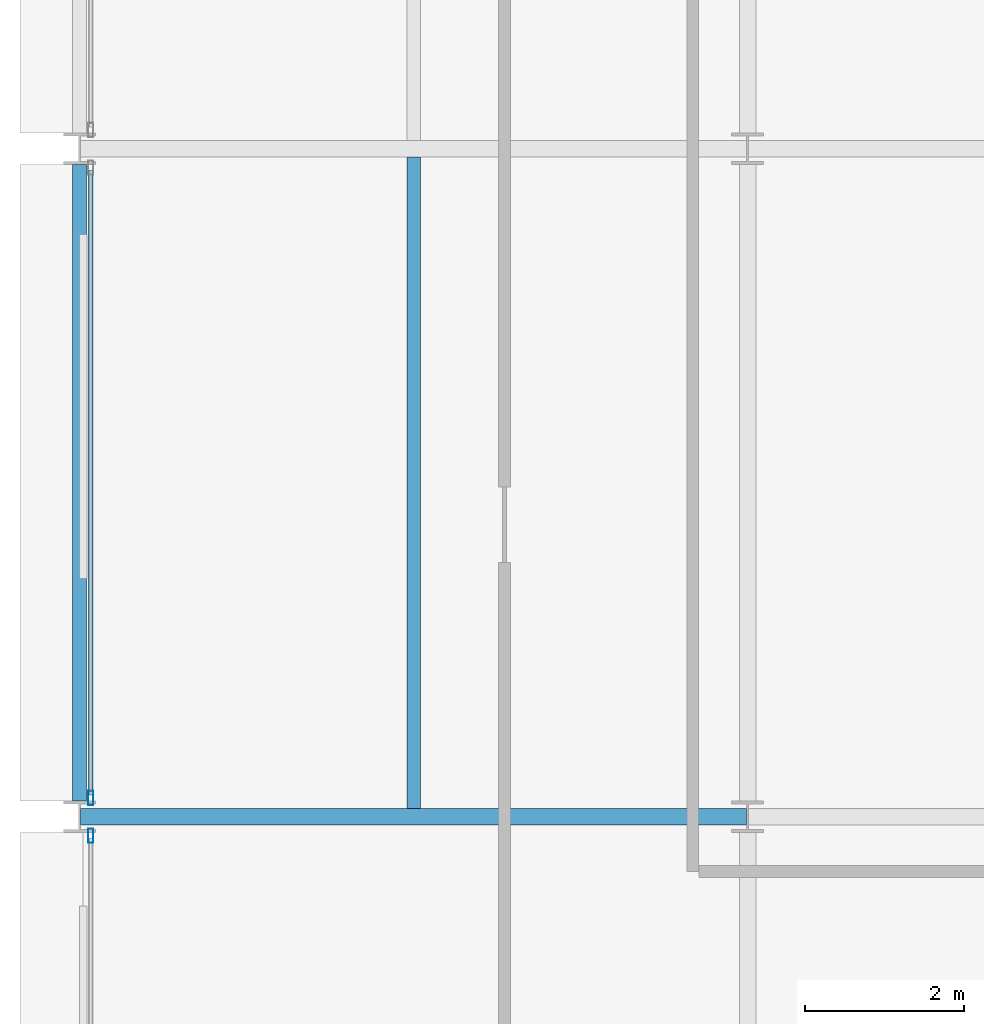
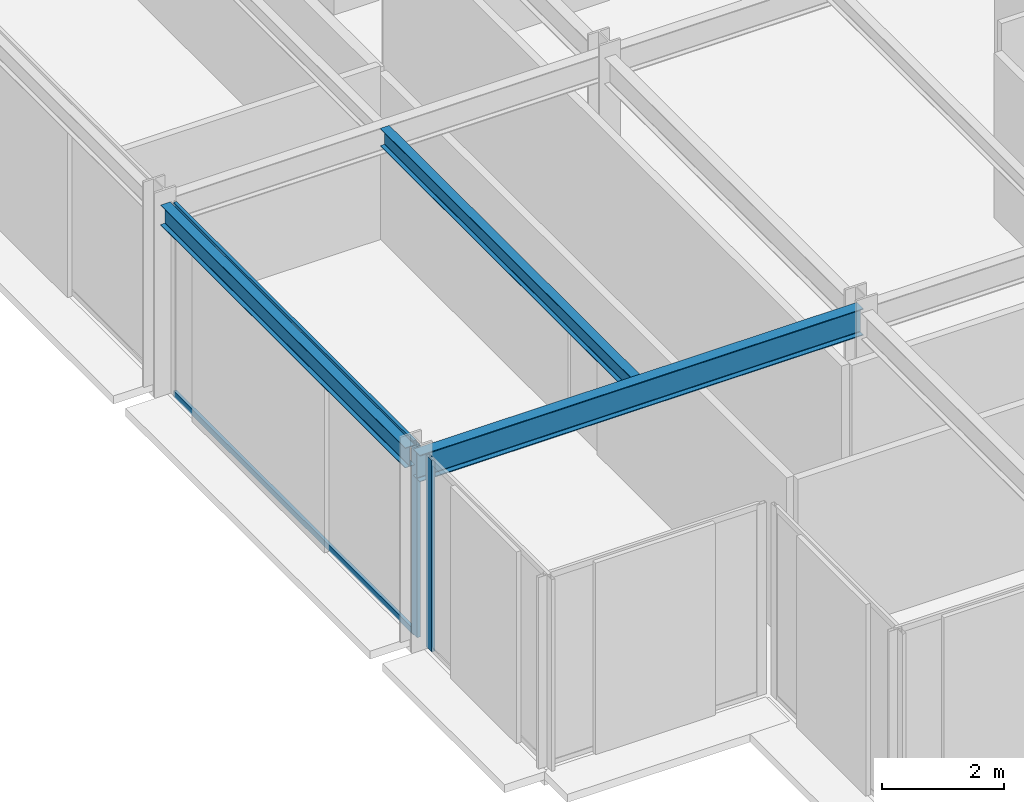
# One storey, part 4 of 30: 4 members, 3 beams, 2 elements without a shape of their own.
"""IFC4 building model written with IfcOpenShell, lengths in metres."""

from ifc_helpers import new_model, si_unit, direction, frame, origin, origin_2d, place, context, subcontext, project, spatial, hollow_rectangle, i_section, extrude, material, layer, layer_set, material_profile, profile_set, type_object, element, aggregate, save


model = new_model("IFC4")

# Units and contexts
model_context = context("Model", 3, precision=1e-05, world=origin(), true_north=direction((0.0, 1.0)))
body_context = subcontext(model_context, "Body", "Model", "MODEL_VIEW")
ifc_project = project(units=[si_unit("LENGTHUNIT", "METRE"), si_unit("AREAUNIT", "SQUARE_METRE"), si_unit("VOLUMEUNIT", "CUBIC_METRE"), si_unit("PLANEANGLEUNIT", "RADIAN"), si_unit("MASSUNIT", "GRAM", prefix="KILO")], contexts=[model_context])

# Site, building, storey
site_placement = place(None, origin())
site = spatial("IfcSite", under=ifc_project, at=site_placement, CompositionType="ELEMENT")
building_placement = place(site_placement, origin())
building = spatial("IfcBuilding", under=site, at=building_placement, Name="Nerrivon Quay Data Exchange", CompositionType="ELEMENT")
storey_placement = place(building_placement, frame((0.0, 0.0, 117.199951171875)))
storey = spatial("IfcBuildingStorey", under=building, at=storey_placement, Name="L27", CompositionType="ELEMENT", Elevation=117.199951171875)

# Beams
ifc_material_1 = material(Name="Steel Grade 350", Category="steel")
ifc_material_profile_1 = material_profile(ifc_material_1, i_section(OverallWidth=0.208984375, OverallDepth=0.532958984375, WebThickness=0.01025390625, FlangeThickness=0.015625, FilletRadius=0.013916015625, at=origin_2d()), Name="530UB92.4")
ifc_profile_set_1 = profile_set([ifc_material_profile_1], Name="Steel Grade 350")
beam_type_1 = type_object("IfcBeamType", Name="BM-G3-530UB92", PredefinedType="BEAM", material=ifc_profile_set_1)
beam_1_placement = place(storey_placement, frame((0.012451171875, 8.39990234375, 3.55859375), z_axis=(1.0, 0.0, 0.0), x_axis=(0.0, 1.0, 0.0)))
element("IfcBeam", 1, at=beam_1_placement, inside=storey, type_object=beam_type_1, Name="L27 EW Girder Y=8.4 (0.0..8.4)", PredefinedType="BEAM", context=body_context, shape_type="SweptSolid", body=[
    extrude(i_section(OverallWidth=0.208984375, OverallDepth=0.532958984375, WebThickness=0.01025390625, FlangeThickness=0.015625, FilletRadius=0.013916015625, at=origin_2d()), origin(), (0.0, 0.0, 1.0), 8.375),
])
ifc_material_profile_2 = material_profile(ifc_material_1, i_section(OverallWidth=0.1708984375, OverallDepth=0.35595703125, WebThickness=0.00732421875, FlangeThickness=0.011474609375, FilletRadius=0.011474609375, at=origin_2d()), Name="360UB50.7")
ifc_profile_set_2 = profile_set([ifc_material_profile_2], Name="Steel Grade 350")
beam_type_2 = type_object("IfcBeamType", Name="BM-J4-360UB51", PredefinedType="JOIST", material=ifc_profile_set_2)
beam_2_placement = place(storey_placement, frame((4.199951171875, 8.50439453125, 3.64697265625), z_axis=(0.0, 1.0, 0.0), x_axis=(-1.0, 0.0, 0.0)))
element("IfcBeam", 2, at=beam_2_placement, inside=storey, type_object=beam_type_2, Name="L27 Secondary Joist X=4.2 (8.4..16.8)", PredefinedType="JOIST", context=body_context, shape_type="SweptSolid", body=[
    extrude(i_section(OverallWidth=0.1708984375, OverallDepth=0.35595703125, WebThickness=0.00732421875, FlangeThickness=0.011474609375, FilletRadius=0.011474609375, at=origin_2d()), origin(), (0.0, 0.0, 1.0), 8.191162109375),
])
ifc_material_profile_3 = material_profile(ifc_material_1, i_section(OverallWidth=0.177978515625, OverallDepth=0.403076171875, WebThickness=0.007568359375, FlangeThickness=0.010986328125, FilletRadius=0.011474609375, at=origin_2d()), Name="410UB53.7")
ifc_profile_set_3 = profile_set([ifc_material_profile_3], Name="Steel Grade 350")
beam_type_3 = type_object("IfcBeamType", Name="BM-SP2-410UB54", PredefinedType="SPANDREL", material=ifc_profile_set_3)
beam_3_placement = place(storey_placement, frame((0.0, 8.60009765625, 3.62353515625), z_axis=(0.0, 1.0, 0.0), x_axis=(-1.0, 0.0, 0.0)))
element("IfcBeam", 3, at=beam_3_placement, inside=storey, type_object=beam_type_3, Name="L27 NS Girder X=0.0 (8.4..16.8)", PredefinedType="SPANDREL", context=body_context, shape_type="SweptSolid", body=[
    extrude(i_section(OverallWidth=0.177978515625, OverallDepth=0.403076171875, WebThickness=0.007568359375, FlangeThickness=0.010986328125, FilletRadius=0.011474609375, at=origin_2d()), origin(), (0.0, 0.0, 1.0), 8.0),
])

# Curtain wall, member
ifc_material_2 = material(Name="Anodised aluminium 6063-T6", Category="aluminium")
ifc_layer = layer(ifc_material_2, 0.2099609375)
ifc_layer_set = layer_set([ifc_layer], Name="Anodised aluminium 6063-T6")
curtain_wall_type = type_object("IfcCurtainWallType", Name="CW-SYS-02", PredefinedType="NOTDEFINED", material=ifc_layer_set)
curtain_wall_1_placement = place(storey_placement, origin())
curtain_wall_1 = element("IfcCurtainWall", 4, at=curtain_wall_1_placement, inside=storey, type_object=curtain_wall_type, Name="L27 Unitised Curtain Wall 11", PredefinedType="NOTDEFINED")
ifc_material_profile_4 = material_profile(ifc_material_2, hollow_rectangle(XDim=0.06494140625, YDim=0.179931640625, WallThickness=0.00341796875, at=origin_2d()), Name="ALU-MULL-180x65")
ifc_profile_set_4 = profile_set([ifc_material_profile_4], Name="Anodised aluminium 6063-T6")
member_type_1 = type_object("IfcMemberType", Name="CWM-180x65", PredefinedType="MULLION", material=ifc_profile_set_4)
member_1_placement = place(storey_placement, frame((0.139892578125, 8.16259765625, 0.0), z_axis=(0.0, 0.0, 1.0), x_axis=(-1.0, 0.0, 0.0)))
member_1 = element("IfcMember", 5, at=member_1_placement, type_object=member_type_1, Name="CW02 mullion 2", PredefinedType="MULLION", context=body_context, shape_type="SweptSolid", body=[
    extrude(hollow_rectangle(XDim=0.06494140625, YDim=0.179931640625, WallThickness=0.00341796875, at=origin_2d()), origin(), (0.0, 0.0, 1.0), 3.824951171875),
])
aggregate(curtain_wall_1, [member_1])

# Curtain wall, members
curtain_wall_2_placement = place(storey_placement, origin())
curtain_wall_2 = element("IfcCurtainWall", 6, at=curtain_wall_2_placement, inside=storey, type_object=curtain_wall_type, Name="L27 Unitised Curtain Wall 12", PredefinedType="NOTDEFINED")
member_2_placement = place(storey_placement, frame((0.139892578125, 8.637451171875, 0.0), z_axis=(0.0, 0.0, 1.0), x_axis=(-1.0, 0.0, 0.0)))
member_2 = element("IfcMember", 7, at=member_2_placement, type_object=member_type_1, Name="CW02 mullion 1", PredefinedType="MULLION", context=body_context, shape_type="SweptSolid", body=[
    extrude(hollow_rectangle(XDim=0.06494140625, YDim=0.179931640625, WallThickness=0.00341796875, at=origin_2d()), origin(), (0.0, 0.0, 1.0), 3.824951171875),
])
ifc_material_profile_5 = material_profile(ifc_material_2, hollow_rectangle(XDim=0.06005859375, YDim=0.1201171875, WallThickness=0.003173828125, at=origin_2d()), Name="ALU-TRAN-120x60")
ifc_profile_set_5 = profile_set([ifc_material_profile_5], Name="Anodised aluminium 6063-T6")
member_type_2 = type_object("IfcMemberType", Name="CWT-120x60", PredefinedType="USERDEFINED", material=ifc_profile_set_5)
member_3_placement = place(storey_placement, frame((0.139892578125, 8.675048828125, 0.032470703125), z_axis=(0.0, 1.0, 0.0), x_axis=(-1.0, 0.0, 0.0)))
member_3 = element("IfcMember", 8, at=member_3_placement, type_object=member_type_2, Name="CW02 transom 1.1", ObjectType="TRANSOM", PredefinedType="USERDEFINED", context=body_context, shape_type="SweptSolid", body=[
    extrude(hollow_rectangle(XDim=0.06005859375, YDim=0.1201171875, WallThickness=0.003173828125, at=origin_2d()), origin(), (0.0, 0.0, 1.0), 7.849853515625),
])
member_4_placement = place(storey_placement, frame((0.139892578125, 8.675048828125, 3.79248046875), z_axis=(0.0, 1.0, 0.0), x_axis=(-1.0, 0.0, 0.0)))
member_4 = element("IfcMember", 9, at=member_4_placement, type_object=member_type_2, Name="CW02 transom 1.2", ObjectType="TRANSOM", PredefinedType="USERDEFINED", context=body_context, shape_type="SweptSolid", body=[
    extrude(hollow_rectangle(XDim=0.06005859375, YDim=0.1201171875, WallThickness=0.003173828125, at=origin_2d()), origin(), (0.0, 0.0, 1.0), 7.849853515625),
])
aggregate(curtain_wall_2, [member_2, member_3, member_4])

save(model, "model.ifc")
